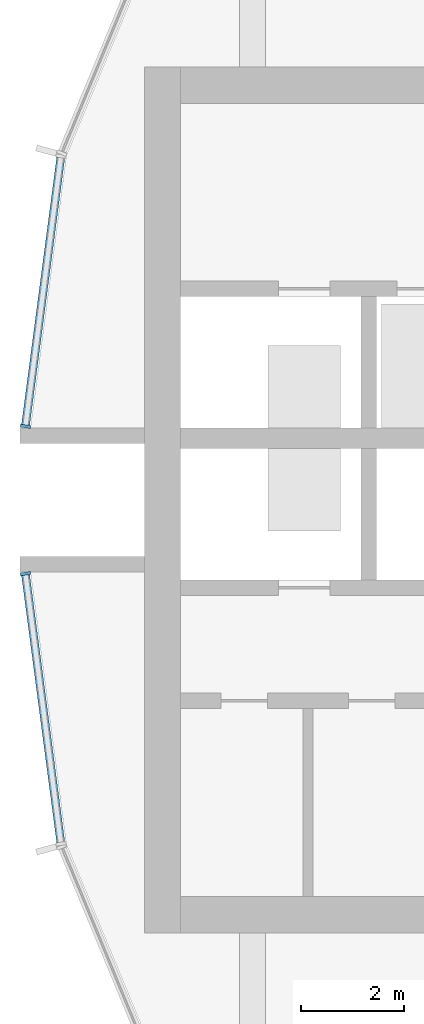
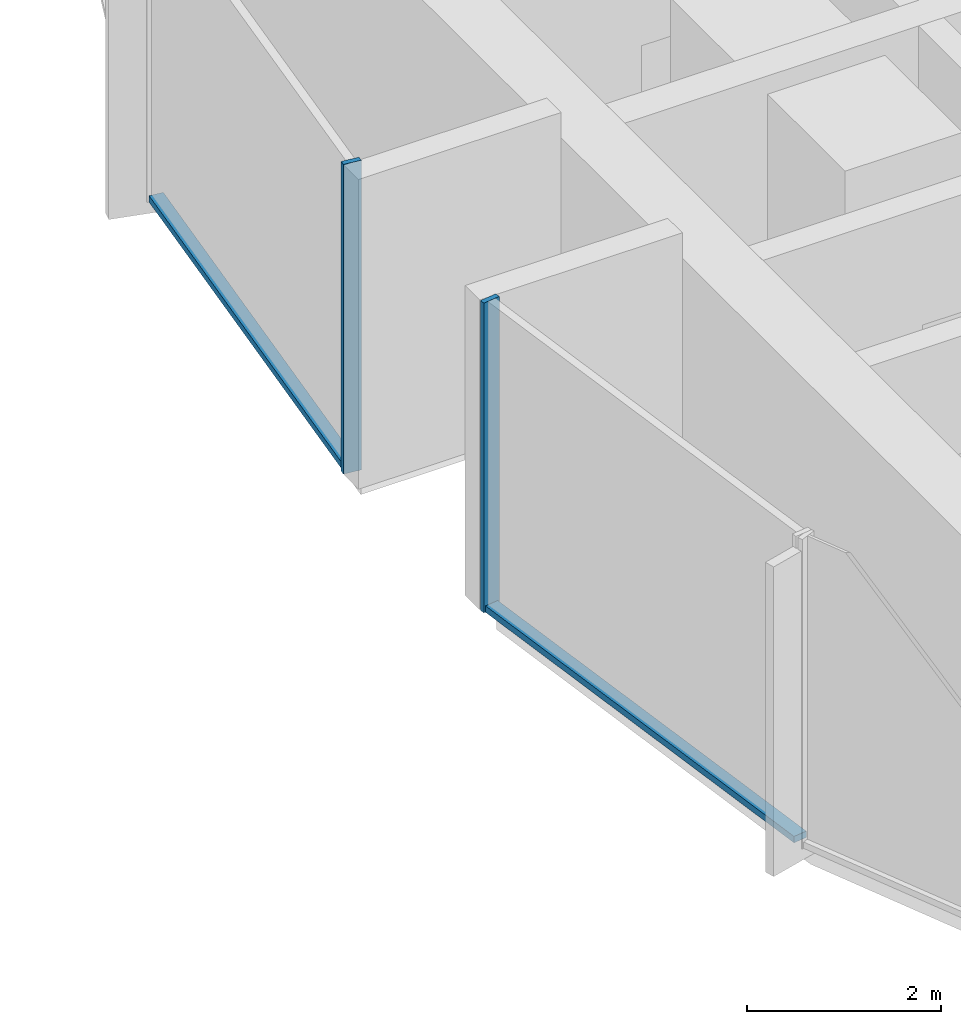
# One storey, part 3 of 15: 4 members, 2 elements without a shape of their own.
"""IFC4 building model written with IfcOpenShell, lengths in metres."""

from ifc_helpers import new_model, si_unit, direction, frame, origin, origin_2d, place, context, subcontext, project, spatial, rectangle, extrude, material, layer, layer_set, material_profile, profile_set, type_object, element, aggregate, save


model = new_model("IFC4")

# Units and contexts
model_context = context("Model", 3, precision=1e-05, world=origin(), true_north=direction((0.0, 1.0)))
body_context = subcontext(model_context, "Body", "Model", "MODEL_VIEW")
ifc_project = project(units=[si_unit("LENGTHUNIT", "METRE"), si_unit("AREAUNIT", "SQUARE_METRE"), si_unit("VOLUMEUNIT", "CUBIC_METRE"), si_unit("PLANEANGLEUNIT", "RADIAN"), si_unit("MASSUNIT", "GRAM", prefix="KILO")], contexts=[model_context])

# Site, building, storey
site_placement = place(None, origin())
site = spatial("IfcSite", under=ifc_project, at=site_placement, CompositionType="ELEMENT")
building_placement = place(site_placement, origin())
building = spatial("IfcBuilding", under=site, at=building_placement, Name="Torre Brocal", CompositionType="ELEMENT")
storey_placement = place(building_placement, frame((0.0, 0.0, 122.39990234375)))
storey = spatial("IfcBuildingStorey", under=building, at=storey_placement, Name="L28", CompositionType="ELEMENT", Elevation=122.39990234375)

# Curtain wall, member
ifc_material_1 = material(Name="Aluminium and glass", Category="aluminium")
ifc_layer = layer(ifc_material_1, 0.199951171875)
ifc_layer_set = layer_set([ifc_layer], Name="Aluminium and glass")
curtain_wall_type = type_object("IfcCurtainWallType", Name="CW-1B CURTAIN WALL 3900 HIGH", PredefinedType="NOTDEFINED", material=ifc_layer_set)
curtain_wall_1_placement = place(storey_placement, origin())
curtain_wall_1 = element("IfcCurtainWall", 1, at=curtain_wall_1_placement, inside=storey, type_object=curtain_wall_type, Name="CW-1B RUN 12", PredefinedType="NOTDEFINED")
ifc_material_2 = material(Name="Aluminium, dark anodised", Category="aluminium")
ifc_material_profile_1 = material_profile(ifc_material_2, rectangle(XDim=0.199951171875, YDim=0.06005859375, at=origin_2d()), Name="CW-1B MULLION 60X200")
ifc_profile_set_1 = profile_set([ifc_material_profile_1], Name="Aluminium, dark anodised")
member_type_1 = type_object("IfcMemberType", Name="CW-1B MULLION 60X200", PredefinedType="MULLION", material=ifc_profile_set_1)
member_1_placement = place(storey_placement, frame((54.2890625, 76.4296875, 0.0), z_axis=(0.0, 0.0, 1.0), x_axis=(0.991444861374, -0.13052619222, 0.0)))
member_1 = element("IfcMember", 2, at=member_1_placement, type_object=member_type_1, Name="CW1B-3 mullion 2", PredefinedType="MULLION", context=body_context, shape_type="SweptSolid", body=[
    extrude(rectangle(XDim=0.199951171875, YDim=0.06005859375, at=origin_2d()), origin(), (0.0, 0.0, 1.0), 3.900146484375),
])

curtain_wall_2_placement = place(storey_placement, origin())
curtain_wall_2 = element("IfcCurtainWall", 3, at=curtain_wall_2_placement, inside=storey, type_object=curtain_wall_type, Name="CW-1B RUN 13", PredefinedType="NOTDEFINED")
member_2_placement = place(storey_placement, frame((54.2890625, 73.5703125, 0.0), z_axis=(0.0, 0.0, 1.0), x_axis=(0.991444861374, 0.13052619222, 0.0)))
member_2 = element("IfcMember", 4, at=member_2_placement, type_object=member_type_1, Name="CW1B-3 mullion 1", PredefinedType="MULLION", context=body_context, shape_type="SweptSolid", body=[
    extrude(rectangle(XDim=0.199951171875, YDim=0.06005859375, at=origin_2d()), origin(), (0.0, 0.0, 1.0), 3.900146484375),
])

# Member
ifc_material_3 = material(Name="Aluminium, dark anodised", Category="aluminium")
ifc_material_profile_2 = material_profile(ifc_material_3, rectangle(XDim=0.159912109375, YDim=0.080078125, at=origin_2d()), Name="CW-1B TRANSOM 160X80")
ifc_profile_set_2 = profile_set([ifc_material_profile_2], Name="Aluminium, dark anodised")
member_type_2 = type_object("IfcMemberType", Name="CW-1B TRANSOM 160X80", PredefinedType="USERDEFINED", material=ifc_profile_set_2)
member_3_placement = place(storey_placement, frame((54.9755859375, 81.643798828125, 0.0400390625), z_axis=(-0.130542677827, -0.991442690863, 0.0), x_axis=(0.991442690863, -0.130542677827, 0.0)))
member_3 = element("IfcMember", 5, at=member_3_placement, type_object=member_type_2, Name="CW1B-3 transom 1.1", ObjectType="TRANSOM", PredefinedType="USERDEFINED", context=body_context, shape_type="SweptSolid", body=[
    extrude(rectangle(XDim=0.159912109375, YDim=0.080078125, at=origin_2d()), origin(), (0.0, 0.0, 1.0), 5.22900390625),
])

aggregate(curtain_wall_1, [member_1, member_3])

member_4_placement = place(storey_placement, frame((54.29296875, 73.54052734375, 0.0400390625), z_axis=(0.130542677827, -0.991442690863, 0.0), x_axis=(0.991442690863, 0.130542677827, 0.0)))
member_4 = element("IfcMember", 6, at=member_4_placement, type_object=member_type_2, Name="CW1B-3 transom 1.1", ObjectType="TRANSOM", PredefinedType="USERDEFINED", context=body_context, shape_type="SweptSolid", body=[
    extrude(rectangle(XDim=0.159912109375, YDim=0.080078125, at=origin_2d()), origin(), (0.0, 0.0, 1.0), 5.22900390625),
])

aggregate(curtain_wall_2, [member_2, member_4])

save(model, "model.ifc")
